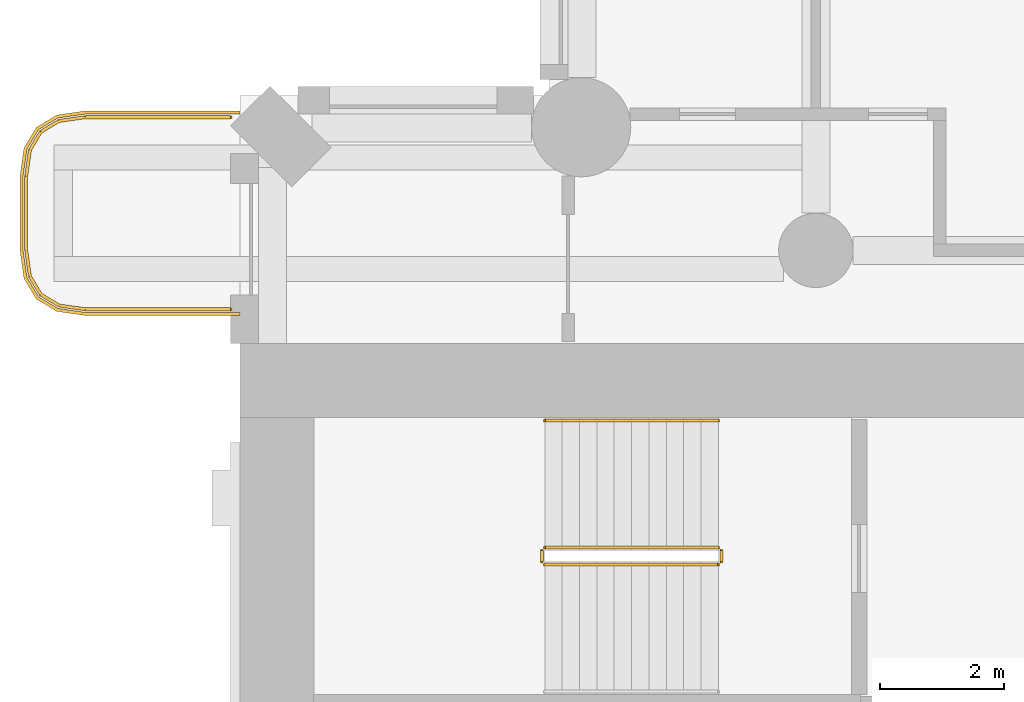
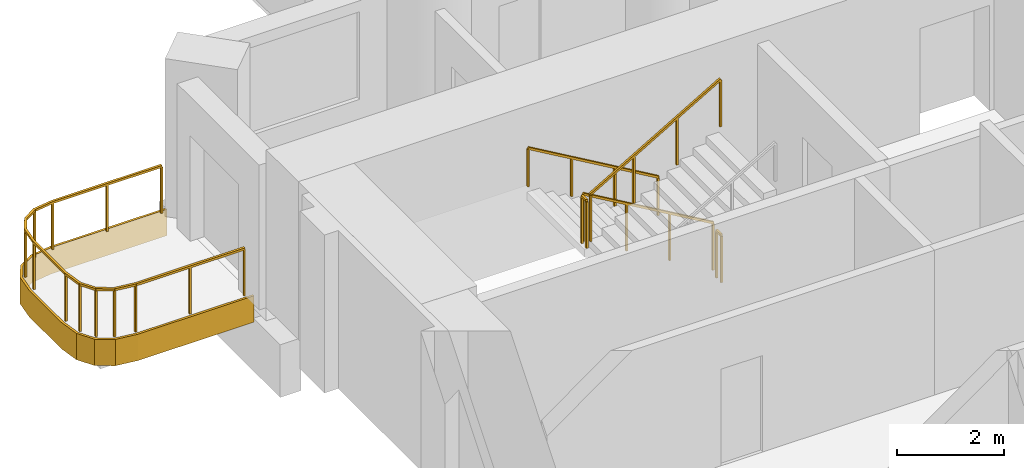
# One storey, part 17 of 20: 6 railings, 1 covering.
"""IFC4 building model written with IfcOpenShell, lengths in metres."""

from ifc_helpers import new_model, si_unit, direction, frame, origin, origin_2d, place, context, subcontext, project, spatial, polyline, rectangle, outline, extrude, material, layer, layer_set, type_object, element, save


model = new_model("IFC4")

# Units and contexts
model_context = context("Model", 3, precision=1e-05, world=origin(), true_north=direction((0.0, 1.0)))
body_context = subcontext(model_context, "Body", "Model", "MODEL_VIEW")
ifc_project = project(units=[si_unit("LENGTHUNIT", "METRE"), si_unit("AREAUNIT", "SQUARE_METRE"), si_unit("VOLUMEUNIT", "CUBIC_METRE"), si_unit("PLANEANGLEUNIT", "RADIAN"), si_unit("MASSUNIT", "GRAM", prefix="KILO")], contexts=[model_context])

# Site, building, storey
site_placement = place(None, origin())
site = spatial("IfcSite", under=ifc_project, at=site_placement, CompositionType="ELEMENT")
building_placement = place(site_placement, origin())
building = spatial("IfcBuilding", under=site, at=building_placement, Name="Cypress Arch Tower", CompositionType="ELEMENT")
storey_placement = place(building_placement, frame((0.0, 0.0, 55.5)))
storey = spatial("IfcBuildingStorey", under=building, at=storey_placement, Name="L07", CompositionType="ELEMENT", Elevation=55.5)

# Covering
ifc_material_1 = material(Name="White powder-coated aluminium fascia", Category="aluminium")
ifc_layer = layer(ifc_material_1, 0.050048828125)
ifc_layer_set = layer_set([ifc_layer], Name="Balcony fascia BF50")
covering_type = type_object("IfcCoveringType", Name="Balcony fascia BF50", PredefinedType="CLADDING", material=ifc_layer_set)
covering_placement = place(storey_placement, frame((0.0, 0.0, -0.60009765625)))
element("IfcCovering", 1, at=covering_placement, inside=storey, type_object=covering_type, Name="Balcony fascia L07-A00W0", PredefinedType="CLADDING", context=body_context, shape_type="SweptSolid", body=[
    extrude(outline(polyline([(-32.503662109375, 16.449951171875), (-32.95458984375, 16.514404296875), (-33.286376953125, 16.713623046875), (-33.485595703125, 17.04541015625), (-33.550048828125, 17.496337890625), (-33.550048828125, 18.70361328125), (-33.485595703125, 19.154541015625), (-33.286376953125, 19.486328125), (-32.95458984375, 19.685546875), (-32.503662109375, 19.75), (-30.0009765625, 19.75), (-30.0009765625, 19.699951171875), (-32.5, 19.699951171875), (-32.9375, 19.637451171875), (-33.25, 19.449951171875), (-33.4375, 19.137451171875), (-33.5, 18.699951171875), (-33.5, 17.5), (-33.4375, 17.0625), (-33.25, 16.75), (-32.9375, 16.5625), (-32.5, 16.5), (-30.0009765625, 16.5), (-30.0009765625, 16.449951171875), (-32.503662109375, 16.449951171875)])), origin(), (0.0, 0.0, 1.0), 0.60009765625),
])

# Railings
ifc_material_2 = material(Name="Powder-coated steel posts and rods, 100 mm clear between rods", Category="steel")
railing_type_1 = type_object("IfcRailingType", Name="Balcony guard GR1100", PredefinedType="GUARDRAIL", material=ifc_material_2)
railing_1_placement = place(storey_placement, frame((-30.14990234375, 16.550048828125, 0.0)))
element("IfcRailing", 2, at=railing_1_placement, inside=storey, type_object=railing_type_1, Name="Balcony guard L07-A00W0", PredefinedType="GUARDRAIL", context=body_context, shape_type="SweptSolid", body=[
    extrude(rectangle(XDim=0.050048828125, YDim=0.050048828125, at=origin_2d()), frame((0.0, 0.0, 1.0751953125), z_axis=(-1.0, 0.0, 0.0), x_axis=(0.0, -1.0, 0.0)), (0.0, 0.0, 1.0), 2.346435546875),
    extrude(rectangle(XDim=0.050048828125, YDim=0.050048828125, at=origin_2d()), frame((-2.346435546875, 0.0, 1.0751953125), z_axis=(-0.989960888959, 0.141341566184, 0.0), x_axis=(-0.141341566184, -0.989960888959, 0.0)), (0.0, 0.0, 1.0), 0.428466796875),
    extrude(rectangle(XDim=0.050048828125, YDim=0.050048828125, at=origin_2d()), frame((-2.7705078125, 0.060546875, 1.0751953125), z_axis=(-0.857681904839, 0.514180659021, 0.0), x_axis=(-0.514180659021, -0.857681904839, 0.0)), (0.0, 0.0, 1.0), 0.341796875),
    extrude(rectangle(XDim=0.050048828125, YDim=0.050048828125, at=origin_2d()), frame((-3.063720703125, 0.236328125, 1.0751953125), z_axis=(-0.514180659021, 0.857681904839, 0.0), x_axis=(-0.857681904839, -0.514180659021, 0.0)), (0.0, 0.0, 1.0), 0.341796875),
    extrude(rectangle(XDim=0.050048828125, YDim=0.050048828125, at=origin_2d()), frame((-3.239501953125, 0.529541015625, 1.0751953125), z_axis=(-0.141341566184, 0.989960888959, 0.0), x_axis=(-0.989960888959, -0.141341566184, 0.0)), (0.0, 0.0, 1.0), 0.428466796875),
    extrude(rectangle(XDim=0.050048828125, YDim=0.050048828125, at=origin_2d()), frame((-3.300048828125, 0.95361328125, 1.0751953125), z_axis=(0.0, 1.0, 0.0), x_axis=(-1.0, 0.0, 0.0)), (0.0, 0.0, 1.0), 1.19287109375),
    extrude(rectangle(XDim=0.050048828125, YDim=0.050048828125, at=origin_2d()), frame((-3.300048828125, 2.146484375, 1.0751953125), z_axis=(0.141421356237, 0.989949493661, 0.0), x_axis=(-0.989949493661, 0.141421356237, 0.0)), (0.0, 0.0, 1.0), 0.42822265625),
    extrude(rectangle(XDim=0.050048828125, YDim=0.050048828125, at=origin_2d()), frame((-3.239501953125, 2.5703125, 1.0751953125), z_axis=(0.514180659021, 0.857681904839, 0.0), x_axis=(-0.857681904839, 0.514180659021, 0.0)), (0.0, 0.0, 1.0), 0.341796875),
    extrude(rectangle(XDim=0.050048828125, YDim=0.050048828125, at=origin_2d()), frame((-3.063720703125, 2.863525390625, 1.0751953125), z_axis=(0.857681904839, 0.514180659021, 0.0), x_axis=(-0.514180659021, 0.857681904839, 0.0)), (0.0, 0.0, 1.0), 0.341796875),
    extrude(rectangle(XDim=0.050048828125, YDim=0.050048828125, at=origin_2d()), frame((-2.7705078125, 3.039306640625, 1.0751953125), z_axis=(0.989960888959, 0.141341566184, 0.0), x_axis=(-0.141341566184, 0.989960888959, 0.0)), (0.0, 0.0, 1.0), 0.428466796875),
    extrude(rectangle(XDim=0.050048828125, YDim=0.050048828125, at=origin_2d()), frame((-2.346435546875, 3.099853515625, 1.0751953125), z_axis=(1.0, 0.0, 0.0), x_axis=(0.0, 1.0, 0.0)), (0.0, 0.0, 1.0), 2.346435546875),
    extrude(rectangle(XDim=0.0400390625, YDim=0.0400390625, at=origin_2d()), origin(), (0.0, 0.0, 1.0), 1.050048828125),
    extrude(rectangle(XDim=0.0400390625, YDim=0.0400390625, at=origin_2d()), frame((-1.17333984375, 0.0, 0.0)), (0.0, 0.0, 1.0), 1.050048828125),
    extrude(rectangle(XDim=0.0400390625, YDim=0.0400390625, at=origin_2d()), frame((-2.346435546875, 0.0, 0.0)), (0.0, 0.0, 1.0), 1.050048828125),
    extrude(rectangle(XDim=0.0400390625, YDim=0.0400390625, at=origin_2d()), frame((-2.7705078125, 0.060546875, 0.0)), (0.0, 0.0, 1.0), 1.050048828125),
    extrude(rectangle(XDim=0.0400390625, YDim=0.0400390625, at=origin_2d()), frame((-3.063720703125, 0.236328125, 0.0)), (0.0, 0.0, 1.0), 1.050048828125),
    extrude(rectangle(XDim=0.0400390625, YDim=0.0400390625, at=origin_2d()), frame((-3.239501953125, 0.529541015625, 0.0)), (0.0, 0.0, 1.0), 1.050048828125),
    extrude(rectangle(XDim=0.0400390625, YDim=0.0400390625, at=origin_2d()), frame((-3.300048828125, 0.95361328125, 0.0)), (0.0, 0.0, 1.0), 1.050048828125),
    extrude(rectangle(XDim=0.0400390625, YDim=0.0400390625, at=origin_2d()), frame((-3.300048828125, 2.146484375, 0.0)), (0.0, 0.0, 1.0), 1.050048828125),
    extrude(rectangle(XDim=0.0400390625, YDim=0.0400390625, at=origin_2d()), frame((-3.239501953125, 2.5703125, 0.0)), (0.0, 0.0, 1.0), 1.050048828125),
    extrude(rectangle(XDim=0.0400390625, YDim=0.0400390625, at=origin_2d()), frame((-3.063720703125, 2.863525390625, 0.0)), (0.0, 0.0, 1.0), 1.050048828125),
    extrude(rectangle(XDim=0.0400390625, YDim=0.0400390625, at=origin_2d()), frame((-2.7705078125, 3.039306640625, 0.0)), (0.0, 0.0, 1.0), 1.050048828125),
    extrude(rectangle(XDim=0.0400390625, YDim=0.0400390625, at=origin_2d()), frame((-2.346435546875, 3.099853515625, 0.0)), (0.0, 0.0, 1.0), 1.050048828125),
    extrude(rectangle(XDim=0.0400390625, YDim=0.0400390625, at=origin_2d()), frame((-1.17333984375, 3.099853515625, 0.0)), (0.0, 0.0, 1.0), 1.050048828125),
    extrude(rectangle(XDim=0.0400390625, YDim=0.0400390625, at=origin_2d()), frame((0.0, 3.099853515625, 0.0)), (0.0, 0.0, 1.0), 1.050048828125),
])
ifc_material_3 = material(Name="Black powder-coated steel square bar 48 mm", Category="steel")
railing_type_2 = type_object("IfcRailingType", Name="Stair handrail HR1", PredefinedType="HANDRAIL", material=ifc_material_3)
railing_2_placement = place(storey_placement, frame((-22.27490234375, 14.75, 0.16357421875)))
element("IfcRailing", 3, at=railing_2_placement, inside=storey, type_object=railing_type_2, Name="L07 B stair handrail 1", PredefinedType="HANDRAIL", context=body_context, shape_type="SweptSolid", body=[
    extrude(rectangle(XDim=0.048095703125, YDim=0.048095703125, at=origin_2d()), frame((0.0, 0.0, 0.8759765625), z_axis=(-0.863360870873, 0.0, 0.504586966384), x_axis=(0.0, -1.0, 0.0)), (0.0, 0.0, 1.0), 3.2431640625),
    extrude(rectangle(XDim=0.0419921875, YDim=0.0419921875, at=origin_2d()), origin(), (0.0, 0.0, 1.0), 0.851806640625),
    extrude(rectangle(XDim=0.0419921875, YDim=0.0419921875, at=origin_2d()), frame((-0.933349609375, 0.0, 0.54541015625)), (0.0, 0.0, 1.0), 0.851806640625),
    extrude(rectangle(XDim=0.0419921875, YDim=0.0419921875, at=origin_2d()), frame((-1.86669921875, 0.0, 1.091064453125)), (0.0, 0.0, 1.0), 0.851806640625),
    extrude(rectangle(XDim=0.0419921875, YDim=0.0419921875, at=origin_2d()), frame((-2.800048828125, 0.0, 1.636474609375)), (0.0, 0.0, 1.0), 0.851806640625),
])
ifc_material_4 = material(Name="Black powder-coated steel balusters", Category="steel")
railing_type_3 = type_object("IfcRailingType", Name="Stair well guard G1", PredefinedType="GUARDRAIL", material=ifc_material_4)
railing_3_placement = place(storey_placement, frame((-22.27490234375, 12.699951171875, 0.16357421875)))
element("IfcRailing", 4, at=railing_3_placement, inside=storey, type_object=railing_type_3, Name="L07 B stair guard 1", PredefinedType="GUARDRAIL", context=body_context, shape_type="SweptSolid", body=[
    extrude(rectangle(XDim=0.048095703125, YDim=0.048095703125, at=origin_2d()), frame((0.0, 0.0, 1.076171875), z_axis=(-0.863360870873, 0.0, 0.504586966384), x_axis=(0.0, -1.0, 0.0)), (0.0, 0.0, 1.0), 3.2431640625),
    extrude(rectangle(XDim=0.0419921875, YDim=0.0419921875, at=origin_2d()), origin(), (0.0, 0.0, 1.0), 1.052001953125),
    extrude(rectangle(XDim=0.0419921875, YDim=0.0419921875, at=origin_2d()), frame((-0.933349609375, 0.0, 0.54541015625)), (0.0, 0.0, 1.0), 1.052001953125),
    extrude(rectangle(XDim=0.0419921875, YDim=0.0419921875, at=origin_2d()), frame((-1.86669921875, 0.0, 1.091064453125)), (0.0, 0.0, 1.0), 1.052001953125),
    extrude(rectangle(XDim=0.0419921875, YDim=0.0419921875, at=origin_2d()), frame((-2.800048828125, 0.0, 1.636474609375)), (0.0, 0.0, 1.0), 1.052001953125),
])
railing_4_placement = place(storey_placement, frame((-25.125, 12.64990234375, 1.800048828125)))
element("IfcRailing", 5, at=railing_4_placement, inside=storey, type_object=railing_type_3, Name="L07 B stair guard 2", PredefinedType="GUARDRAIL", context=body_context, shape_type="SweptSolid", body=[
    extrude(rectangle(XDim=0.048095703125, YDim=0.048095703125, at=origin_2d()), frame((0.0, 0.0, 1.076171875), z_axis=(0.0, -1.0, 0.0), x_axis=(1.0, 0.0, 0.0)), (0.0, 0.0, 1.0), 0.1748046875),
    extrude(rectangle(XDim=0.0419921875, YDim=0.0419921875, at=origin_2d()), origin(), (0.0, 0.0, 1.0), 1.052001953125),
    extrude(rectangle(XDim=0.0419921875, YDim=0.0419921875, at=origin_2d()), frame((0.0, -0.1748046875, 0.0)), (0.0, 0.0, 1.0), 1.052001953125),
])
railing_5_placement = place(storey_placement, frame((-25.074951171875, 12.425048828125, 1.963623046875)))
element("IfcRailing", 6, at=railing_5_placement, inside=storey, type_object=railing_type_3, Name="L07 B stair guard 3", PredefinedType="GUARDRAIL", context=body_context, shape_type="SweptSolid", body=[
    extrude(rectangle(XDim=0.048095703125, YDim=0.048095703125, at=origin_2d()), frame((0.0, 0.0, 1.076171875), z_axis=(0.863360870873, 0.0, 0.504586966384), x_axis=(0.0, 1.0, 0.0)), (0.0, 0.0, 1.0), 3.2431640625),
    extrude(rectangle(XDim=0.0419921875, YDim=0.0419921875, at=origin_2d()), origin(), (0.0, 0.0, 1.0), 1.052001953125),
    extrude(rectangle(XDim=0.0419921875, YDim=0.0419921875, at=origin_2d()), frame((0.933349609375, 0.0, 0.54541015625)), (0.0, 0.0, 1.0), 1.052001953125),
    extrude(rectangle(XDim=0.0419921875, YDim=0.0419921875, at=origin_2d()), frame((1.86669921875, 0.0, 1.091064453125)), (0.0, 0.0, 1.0), 1.052001953125),
    extrude(rectangle(XDim=0.0419921875, YDim=0.0419921875, at=origin_2d()), frame((2.800048828125, 0.0, 1.636474609375)), (0.0, 0.0, 1.0), 1.052001953125),
])
railing_6_placement = place(storey_placement, frame((-22.22509765625, 12.64990234375, 0.0)))
element("IfcRailing", 7, at=railing_6_placement, inside=storey, type_object=railing_type_3, Name="L07 B stair guard 4", PredefinedType="GUARDRAIL", context=body_context, shape_type="SweptSolid", body=[
    extrude(rectangle(XDim=0.048095703125, YDim=0.048095703125, at=origin_2d()), frame((0.0, 0.0, 1.076171875), z_axis=(0.0, -1.0, 0.0), x_axis=(1.0, 0.0, 0.0)), (0.0, 0.0, 1.0), 0.1748046875),
    extrude(rectangle(XDim=0.0419921875, YDim=0.0419921875, at=origin_2d()), origin(), (0.0, 0.0, 1.0), 1.052001953125),
    extrude(rectangle(XDim=0.0419921875, YDim=0.0419921875, at=origin_2d()), frame((0.0, -0.1748046875, 0.0)), (0.0, 0.0, 1.0), 1.052001953125),
])

save(model, "model.ifc")
